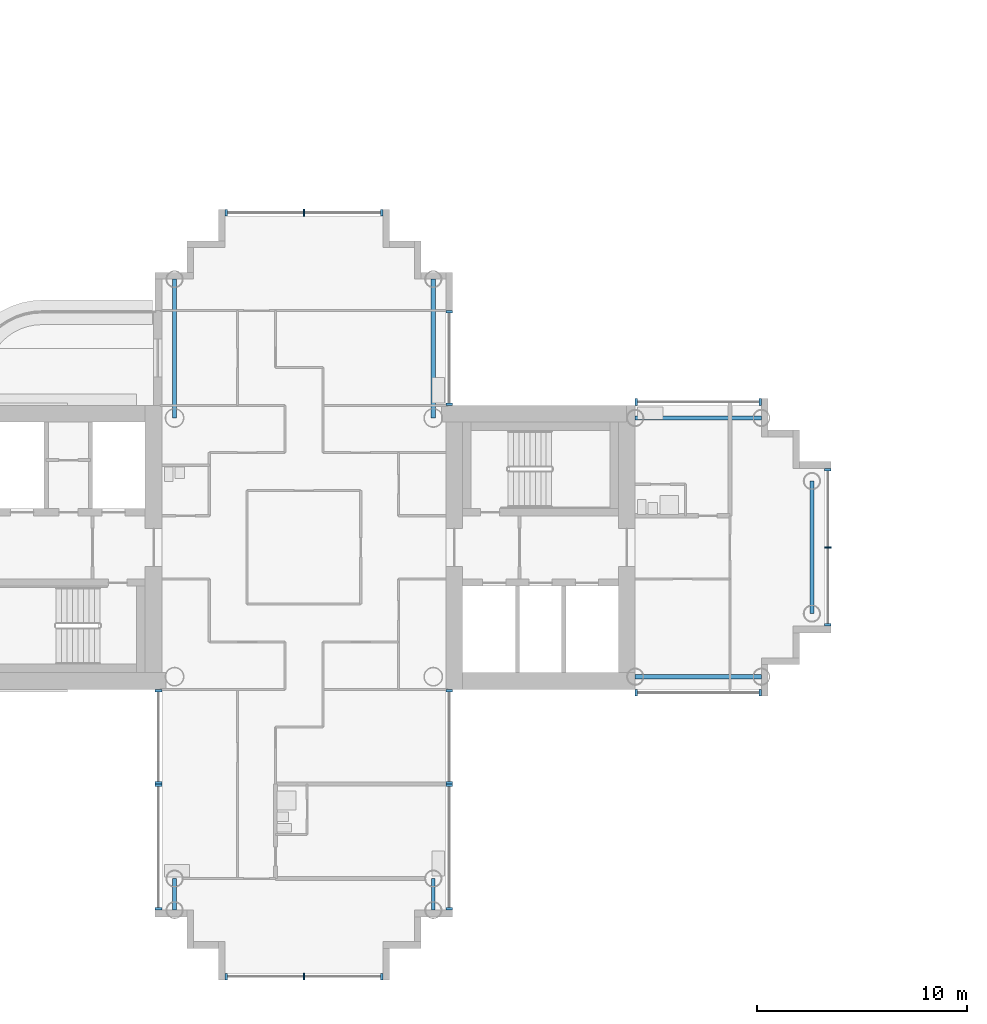
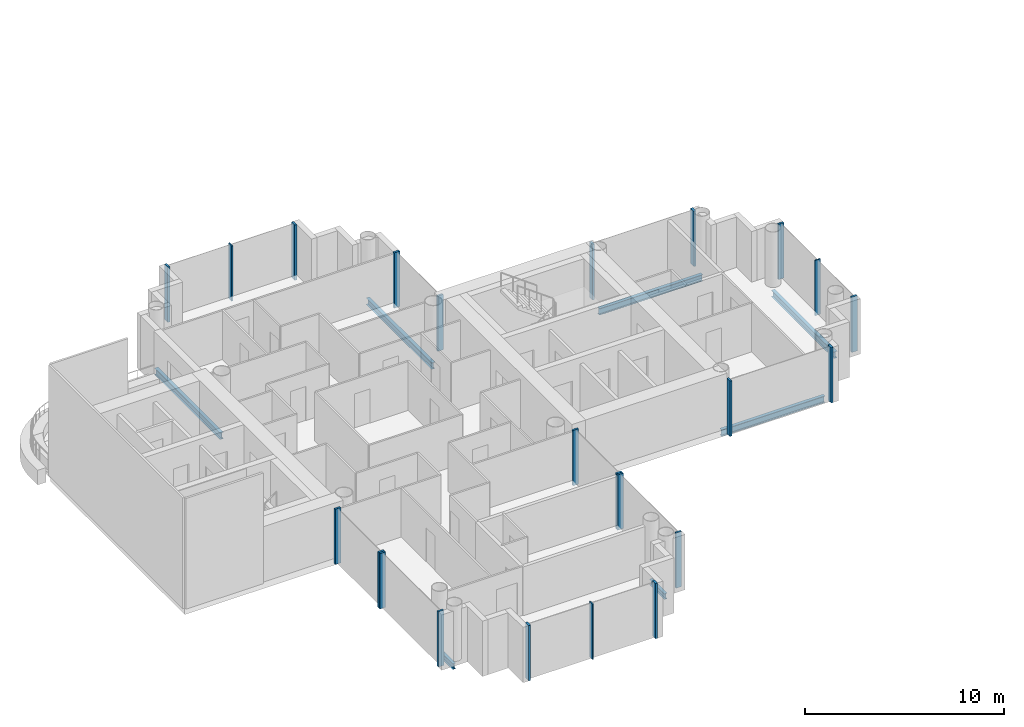
# One storey, part 3 of 20: 23 members, 7 beams, 10 elements without a shape of their own.
"""IFC4 building model written with IfcOpenShell, lengths in metres."""

import ifcopenshell
import ifcopenshell.guid

model = None  # the IFC model being written
_history = None  # IfcOwnerHistory: only IFC2X3 demands one
_inside = {}  # id of a spatial element -> (the spatial element, [elements in it])
_under = {}  # id of a project, library or spatial element -> (it, [spatial elements below it])
_declared = {}  # id of a project -> (the project, [libraries it declares])
_typed = {}  # id of a type object -> (the type object, [elements of that type])
_made_of = {}  # id of a material, layer set ... -> (it, [elements and type objects made of it])


def new_model(schema):
    """Start an empty IFC model of exactly this schema.

    Asked for "IFC4X3", IfcOpenShell would pick the latest addendum, in which some entities
    have other attributes; the version numbers below select the first issue.
    IFC2X3 requires an IfcOwnerHistory on every rooted entity: one is made here for all.
    """
    global model, _history
    if schema == "IFC4X3":
        model = ifcopenshell.file(schema_version=(4, 3, 0, 0))
    else:
        model = ifcopenshell.file(schema=schema)
    _inside.clear()
    _under.clear()
    _declared.clear()
    _typed.clear()
    _made_of.clear()
    _history = None
    if model.schema == "IFC2X3":
        org = make("IfcOrganization", Name="unknown")
        user = make(
            "IfcPersonAndOrganization",
            ThePerson=make("IfcPerson", FamilyName="unknown"),
            TheOrganization=org,
        )
        app = make(
            "IfcApplication",
            ApplicationDeveloper=org,
            Version="unknown",
            ApplicationFullName="unknown",
            ApplicationIdentifier="unknown",
        )
        _history = make(
            "IfcOwnerHistory",
            OwningUser=user,
            OwningApplication=app,
            ChangeAction="ADDED",
            CreationDate=0,
        )
    return model


def make(cls, **values):
    """One entity of the class cls with the attributes given. An attribute that is None is left unset."""
    return model.create_entity(
        cls, **{name: value for name, value in values.items() if value is not None}
    )


def rooted(cls, **values):
    """An entity with a GlobalId (a new one), such as an element, a storey or a relation."""
    return make(cls, GlobalId=ifcopenshell.guid.new(), OwnerHistory=_history, **values)


def si_unit(unit_type, name, prefix=None):
    """IfcSIUnit, for example si_unit("LENGTHUNIT", "METRE", prefix="MILLI")."""
    return make("IfcSIUnit", UnitType=unit_type, Prefix=prefix, Name=name)


def assignment(units):
    """IfcUnitAssignment: the units of a project."""
    return None if units is None else make("IfcUnitAssignment", Units=units)


def point(xyz):
    """IfcCartesianPoint."""
    return None if xyz is None else make("IfcCartesianPoint", Coordinates=xyz)


def direction(xyz):
    """IfcDirection."""
    return None if xyz is None else make("IfcDirection", DirectionRatios=xyz)


def frame(location, z_axis=None, x_axis=None):
    """IfcAxis2Placement3D, a coordinate frame: its origin and axes. An axis left out is left unset."""
    return make(
        "IfcAxis2Placement3D",
        Location=point(location),
        Axis=direction(z_axis),
        RefDirection=direction(x_axis),
    )


def frame_2d(location, x_axis=None):
    """IfcAxis2Placement2D, a coordinate frame in the plane: its origin and x axis."""
    return make(
        "IfcAxis2Placement2D", Location=point(location), RefDirection=direction(x_axis)
    )


def origin():
    """The frame at (0, 0, 0) with its axes left unset."""
    return frame((0.0, 0.0, 0.0))


def origin_2d():
    """The frame at (0, 0) in the plane with its x axis left unset."""
    return frame_2d((0.0, 0.0))


def place(relative_to, where):
    """IfcLocalPlacement: puts the frame where relative to a parent placement (None: the world)."""
    return make(
        "IfcLocalPlacement", PlacementRelTo=relative_to, RelativePlacement=where
    )


def context(
    kind, dimensions, precision=None, world=None, true_north=None, identifier=None
):
    """IfcGeometricRepresentationContext, for example the 3D "Model" context."""
    return make(
        "IfcGeometricRepresentationContext",
        ContextIdentifier=identifier,
        ContextType=kind,
        CoordinateSpaceDimension=dimensions,
        Precision=precision,
        WorldCoordinateSystem=world,
        TrueNorth=true_north,
    )


def subcontext(parent, identifier, kind, view, scale=None):
    """IfcGeometricRepresentationSubContext, for example "Body" below "Model"."""
    return make(
        "IfcGeometricRepresentationSubContext",
        ContextIdentifier=identifier,
        ContextType=kind,
        ParentContext=parent,
        TargetScale=scale,
        TargetView=view,
    )


def project(units=None, contexts=None):
    """IfcProject with its units and contexts."""
    return rooted(
        "IfcProject",
        Name="project",
        RepresentationContexts=contexts,
        UnitsInContext=assignment(units),
    )


def spatial(cls, under=None, at=None, **own):
    """A site, building, storey or space (cls), placed at a placement, below another one or the project."""
    s = rooted(cls, ObjectPlacement=at, **own)
    if under is not None:
        _under.setdefault(under.id(), (under, []))[1].append(s)
    return s


def profile(cls, at=None, kind="AREA", **sizes):
    """A parametric profile (cls). Its sizes go by their IFC names, for example OverallWidth=200.0."""
    return make(cls, ProfileType=kind, Position=at, **sizes)


def rectangle(**sizes):
    """IfcRectangleProfileDef."""
    return profile("IfcRectangleProfileDef", **sizes)


def i_section(**sizes):
    """IfcIShapeProfileDef."""
    return profile("IfcIShapeProfileDef", **sizes)


def extrude(swept, where, along, depth):
    """IfcExtrudedAreaSolid: the profile swept, set in the frame where, extruded along a direction by depth."""
    return make(
        "IfcExtrudedAreaSolid",
        SweptArea=swept,
        Position=where,
        ExtrudedDirection=direction(along),
        Depth=depth,
    )


def shape(context_of_items, identifier, shape_type, items):
    """IfcShapeRepresentation: the items that make up one representation, for example the "Body"."""
    return make(
        "IfcShapeRepresentation",
        ContextOfItems=context_of_items,
        RepresentationIdentifier=identifier,
        RepresentationType=shape_type,
        Items=items,
    )


def material(Name=None, Category=None):
    """IfcMaterial."""
    return make("IfcMaterial", Name=Name, Category=Category)


def layer(
    of_material, thickness, ventilated=None, Name=None, Category=None, Priority=None
):
    """IfcMaterialLayer: one layer of a wall or slab, of a material (None: an air gap)."""
    return make(
        "IfcMaterialLayer",
        Material=of_material,
        LayerThickness=thickness,
        IsVentilated=ventilated,
        Name=Name,
        Category=Category,
        Priority=Priority,
    )


def layer_set(layers, Name=None):
    """IfcMaterialLayerSet."""
    return make("IfcMaterialLayerSet", MaterialLayers=layers, LayerSetName=Name)


def material_profile(
    of_material, cross_section, Name=None, Category=None, Priority=None
):
    """IfcMaterialProfile: a cross section and its material."""
    return make(
        "IfcMaterialProfile",
        Name=Name,
        Material=of_material,
        Profile=cross_section,
        Priority=Priority,
        Category=Category,
    )


def profile_set(profiles, Name=None, composite=None):
    """IfcMaterialProfileSet."""
    return make(
        "IfcMaterialProfileSet",
        Name=Name,
        MaterialProfiles=profiles,
        CompositeProfile=composite,
    )


def made_of(thing, what):
    """Note that an element or type object is made of a material, layer set ...; save() writes the relation."""
    if what is not None:
        _made_of.setdefault(what.id(), (what, []))[1].append(thing)
    return thing


def type_object(cls, material=None, **own):
    """A type object (cls), such as IfcWallType, which elements share."""
    return made_of(rooted(cls, **own), material)


def element(
    cls,
    number,
    at=None,
    inside=None,
    cuts=None,
    type_object=None,
    material=None,
    context=None,
    identifier="Body",
    shape_type=None,
    held_by="IfcProductDefinitionShape",
    body=None,
    shapes=None,
    **own,
):
    """One element of the class cls, such as IfcWall. Its Tag is "e" and its number.

    at: its placement. inside: the storey or other place that contains it. cuts: it is an
    opening in that element (IfcRelVoidsElement). A single representation is given by context,
    identifier, shape_type and body (its items); several are given by shapes. held_by: the class
    of the entity that holds the representations. save() writes the other relations.
    """
    e = rooted(cls, Tag="e%d" % number, ObjectPlacement=at, **own)
    if body is not None:
        shapes = [shape(context, identifier, shape_type, body)]
    if shapes is not None:
        e.Representation = make(held_by, Representations=shapes)
    if inside is not None:
        _inside.setdefault(inside.id(), (inside, []))[1].append(e)
    if cuts is not None:
        rooted(
            "IfcRelVoidsElement", RelatingBuildingElement=cuts, RelatedOpeningElement=e
        )
    if type_object is not None:
        _typed.setdefault(type_object.id(), (type_object, []))[1].append(e)
    return made_of(e, material)


def aggregate(whole, parts):
    """IfcRelAggregates: a whole, such as a stair, and the parts it consists of."""
    return rooted("IfcRelAggregates", RelatingObject=whole, RelatedObjects=parts)


def save(model, path):
    """Write the relations noted so far, then the file.

    IfcRelAggregates (storeys below a building ...), IfcRelContainedInSpatialStructure (elements
    in a storey), IfcRelDefinesByType, IfcRelAssociatesMaterial and IfcRelDeclares: one each for
    every whole, place, type object, material and project.
    """
    for whole, parts in _under.values():
        aggregate(whole, parts)
    for where, things in _inside.values():
        rooted(
            "IfcRelContainedInSpatialStructure",
            RelatedElements=things,
            RelatingStructure=where,
        )
    for kind, things in _typed.values():
        rooted("IfcRelDefinesByType", RelatedObjects=things, RelatingType=kind)
    for what, things in _made_of.values():
        rooted("IfcRelAssociatesMaterial", RelatedObjects=things, RelatingMaterial=what)
    for by, libraries in _declared.values():
        rooted("IfcRelDeclares", RelatingContext=by, RelatedDefinitions=libraries)
    model.write(path)


model = new_model("IFC4")

# Units and contexts
model_context = context("Model", 3, precision=1e-05, world=origin(), true_north=direction((0.0, 1.0)))
body_context = subcontext(model_context, "Body", "Model", "MODEL_VIEW")
ifc_project = project(units=[si_unit("LENGTHUNIT", "METRE"), si_unit("AREAUNIT", "SQUARE_METRE"), si_unit("VOLUMEUNIT", "CUBIC_METRE"), si_unit("PLANEANGLEUNIT", "RADIAN"), si_unit("MASSUNIT", "GRAM", prefix="KILO")], contexts=[model_context])

# Site, building, storey
site_placement = place(None, origin())
site = spatial("IfcSite", under=ifc_project, at=site_placement, CompositionType="ELEMENT")
building_placement = place(site_placement, origin())
building = spatial("IfcBuilding", under=site, at=building_placement, Name="Ipe Terrace Towers", CompositionType="ELEMENT")
storey_placement = place(building_placement, frame((0.0, 0.0, 154.10009765625)))
storey = spatial("IfcBuildingStorey", under=building, at=storey_placement, Name="L42", CompositionType="ELEMENT", Elevation=154.10009765625)

# Beams
ifc_material_1 = material(Name="Steel S355", Category="steel")
ifc_material_profile_1 = material_profile(ifc_material_1, i_section(OverallWidth=0.175048828125, OverallDepth=0.35009765625, WebThickness=0.007080078125, FlangeThickness=0.010986328125, at=origin_2d()), Name="H-350x175x7x11")
ifc_profile_set_1 = profile_set([ifc_material_profile_1], Name="Steel S355")
beam_type_1 = type_object("IfcBeamType", Name="H04 EDGE BEAM H-350x175x7x11", PredefinedType="BEAM", material=ifc_profile_set_1)
for number, where, z_axis, x_axis, name in (
    (1, (-42.14990234375, -15.75, -0.5751953125), (0.0, -1.0, 0.0), (1.0, 0.0, 0.0), "Edge beam T1-EB-D03-D05"),
    (2, (-29.85009765625, -15.75, -0.5751953125), (0.0, -1.0, 0.0), (1.0, 0.0, 0.0), "Edge beam T1-EB-D04-D06"),
):
    element("IfcBeam", number, at=place(storey_placement, frame(where, z_axis=z_axis, x_axis=x_axis)), inside=storey, type_object=beam_type_1, Name=name, PredefinedType="BEAM", context=body_context, shape_type="SweptSolid", body=[
        extrude(i_section(OverallWidth=0.175048828125, OverallDepth=0.35009765625, WebThickness=0.007080078125, FlangeThickness=0.010986328125, at=origin_2d()), origin(), (0.0, 0.0, 1.0), 1.5),
    ])
ifc_material_2 = material(Name="Steel S355", Category="steel")
ifc_material_profile_2 = material_profile(ifc_material_2, i_section(OverallWidth=0.199951171875, OverallDepth=0.39990234375, WebThickness=0.008056640625, FlangeThickness=0.012939453125, at=origin_2d()), Name="H-400x200x8x13")
ifc_profile_set_2 = profile_set([ifc_material_profile_2], Name="Steel S355")
beam_type_2 = type_object("IfcBeamType", Name="H06 EDGE BEAM H-400x200x8x13", PredefinedType="BEAM", material=ifc_profile_set_2)
for number, where, z_axis, x_axis, name in (
    (3, (-20.25, -6.14990234375, -0.60009765625), (1.0, 0.0, 0.0), (0.0, 1.0, 0.0), "Edge beam T1-EB-A01-A03"),
    (4, (-20.25, 6.14990234375, -0.60009765625), (1.0, 0.0, 0.0), (0.0, 1.0, 0.0), "Edge beam T1-EB-A02-A04"),
):
    element("IfcBeam", number, at=place(storey_placement, frame(where, z_axis=z_axis, x_axis=x_axis)), inside=storey, type_object=beam_type_2, Name=name, PredefinedType="BEAM", context=body_context, shape_type="SweptSolid", body=[
        extrude(i_section(OverallWidth=0.199951171875, OverallDepth=0.39990234375, WebThickness=0.008056640625, FlangeThickness=0.012939453125, at=origin_2d()), origin(), (0.0, 0.0, 1.0), 6.0),
    ])
beam_placement = place(storey_placement, frame((-11.85009765625, -3.14990234375, -0.60009765625), z_axis=(0.0, 1.0, 0.0), x_axis=(-1.0, 0.0, 0.0)))
element("IfcBeam", 5, at=beam_placement, inside=storey, type_object=beam_type_2, Name="Edge beam T1-EB-A05-A06", PredefinedType="BEAM", context=body_context, shape_type="SweptSolid", body=[
    extrude(i_section(OverallWidth=0.199951171875, OverallDepth=0.39990234375, WebThickness=0.008056640625, FlangeThickness=0.012939453125, at=origin_2d()), origin(), (0.0, 0.0, 1.0), 6.2998046875),
])
for number, where, z_axis, x_axis, name in (
    (6, (-29.85009765625, 12.75, -0.60009765625), (0.0, -1.0, 0.0), (1.0, 0.0, 0.0), "Edge beam T1-EB-B01-E03"),
    (7, (-42.14990234375, 12.75, -0.60009765625), (0.0, -1.0, 0.0), (1.0, 0.0, 0.0), "Edge beam T1-EB-B02-E04"),
):
    element("IfcBeam", number, at=place(storey_placement, frame(where, z_axis=z_axis, x_axis=x_axis)), inside=storey, type_object=beam_type_2, Name=name, PredefinedType="BEAM", context=body_context, shape_type="SweptSolid", body=[
        extrude(i_section(OverallWidth=0.199951171875, OverallDepth=0.39990234375, WebThickness=0.008056640625, FlangeThickness=0.012939453125, at=origin_2d()), origin(), (0.0, 0.0, 1.0), 6.60009765625),
    ])

# Curtain wall, members
ifc_material_3 = material(Name="Aluminium alloy 6063-T6", Category="aluminium")
ifc_layer = layer(ifc_material_3, 0.320068359375)
ifc_layer_set = layer_set([ifc_layer], Name="TOWER UNITISED CURTAIN WALL")
curtain_wall_type = type_object("IfcCurtainWallType", Name="TOWER UNITISED CURTAIN WALL", PredefinedType="NOTDEFINED", material=ifc_layer_set)
curtain_wall_1_placement = place(storey_placement, origin())
curtain_wall_1 = element("IfcCurtainWall", 8, at=curtain_wall_1_placement, inside=storey, type_object=curtain_wall_type, Name="T1-CW-L42-02a curtain wall", PredefinedType="NOTDEFINED")
ifc_material_4 = material(Name="Aluminium alloy 6063-T6", Category="aluminium")
ifc_material_profile_3 = material_profile(ifc_material_4, rectangle(XDim=0.320068359375, YDim=0.1201171875, at=origin_2d()), Name="TOWER UNITISED CORNER MULLION 320 x 120")
ifc_profile_set_3 = profile_set([ifc_material_profile_3], Name="Aluminium alloy 6063-T6")
member_type_1 = type_object("IfcMemberType", Name="TOWER UNITISED CORNER MULLION 320 x 120", PredefinedType="MULLION", material=ifc_profile_set_3)
member_1_placement = place(storey_placement, frame((-42.909912109375, -6.81005859375, -0.300048828125), z_axis=(0.0, 0.0, 1.0), x_axis=(-1.0, 0.0, 0.0)))
member_1 = element("IfcMember", 9, at=member_1_placement, type_object=member_type_1, Name="T1-CW-L42-02a mullion 1", PredefinedType="MULLION", context=body_context, shape_type="SweptSolid", body=[
    extrude(rectangle(XDim=0.320068359375, YDim=0.1201171875, at=origin_2d()), origin(), (0.0, 0.0, 1.0), 3.39990234375),
])
member_2_placement = place(storey_placement, frame((-42.909912109375, -11.18994140625, -0.300048828125), z_axis=(0.0, 0.0, 1.0), x_axis=(-1.0, 0.0, 0.0)))
member_2 = element("IfcMember", 10, at=member_2_placement, type_object=member_type_1, Name="T1-CW-L42-02a mullion 2", PredefinedType="MULLION", context=body_context, shape_type="SweptSolid", body=[
    extrude(rectangle(XDim=0.320068359375, YDim=0.1201171875, at=origin_2d()), origin(), (0.0, 0.0, 1.0), 3.39990234375),
])
aggregate(curtain_wall_1, [member_1, member_2])

curtain_wall_2_placement = place(storey_placement, origin())
curtain_wall_2 = element("IfcCurtainWall", 11, at=curtain_wall_2_placement, inside=storey, type_object=curtain_wall_type, Name="T1-CW-L42-03a curtain wall", PredefinedType="NOTDEFINED")
member_3_placement = place(storey_placement, frame((-42.909912109375, -11.31005859375, -0.300048828125), z_axis=(0.0, 0.0, 1.0), x_axis=(-1.0, 0.0, 0.0)))
member_3 = element("IfcMember", 12, at=member_3_placement, type_object=member_type_1, Name="T1-CW-L42-03a mullion 1", PredefinedType="MULLION", context=body_context, shape_type="SweptSolid", body=[
    extrude(rectangle(XDim=0.320068359375, YDim=0.1201171875, at=origin_2d()), origin(), (0.0, 0.0, 1.0), 3.39990234375),
])
member_4_placement = place(storey_placement, frame((-42.909912109375, -17.18994140625, -0.300048828125), z_axis=(0.0, 0.0, 1.0), x_axis=(-1.0, 0.0, 0.0)))
member_4 = element("IfcMember", 13, at=member_4_placement, type_object=member_type_1, Name="T1-CW-L42-03a mullion 2", PredefinedType="MULLION", context=body_context, shape_type="SweptSolid", body=[
    extrude(rectangle(XDim=0.320068359375, YDim=0.1201171875, at=origin_2d()), origin(), (0.0, 0.0, 1.0), 3.39990234375),
])
aggregate(curtain_wall_2, [member_3, member_4])

curtain_wall_3_placement = place(storey_placement, origin())
curtain_wall_3 = element("IfcCurtainWall", 14, at=curtain_wall_3_placement, inside=storey, type_object=curtain_wall_type, Name="T1-CW-L42-08a curtain wall", PredefinedType="NOTDEFINED")
member_5_placement = place(storey_placement, frame((-39.68994140625, -20.409912109375, -0.300048828125), z_axis=(0.0, 0.0, 1.0), x_axis=(0.0, -1.0, 0.0)))
member_5 = element("IfcMember", 15, at=member_5_placement, type_object=member_type_1, Name="T1-CW-L42-08a mullion 1", PredefinedType="MULLION", context=body_context, shape_type="SweptSolid", body=[
    extrude(rectangle(XDim=0.320068359375, YDim=0.1201171875, at=origin_2d()), origin(), (0.0, 0.0, 1.0), 3.39990234375),
])
member_6_placement = place(storey_placement, frame((-32.31005859375, -20.409912109375, -0.300048828125), z_axis=(0.0, 0.0, 1.0), x_axis=(0.0, -1.0, 0.0)))
member_6 = element("IfcMember", 16, at=member_6_placement, type_object=member_type_1, Name="T1-CW-L42-08a mullion 3", PredefinedType="MULLION", context=body_context, shape_type="SweptSolid", body=[
    extrude(rectangle(XDim=0.320068359375, YDim=0.1201171875, at=origin_2d()), origin(), (0.0, 0.0, 1.0), 3.39990234375),
])

curtain_wall_4_placement = place(storey_placement, origin())
curtain_wall_4 = element("IfcCurtainWall", 17, at=curtain_wall_4_placement, inside=storey, type_object=curtain_wall_type, Name="T1-CW-L42-13a curtain wall", PredefinedType="NOTDEFINED")
member_7_placement = place(storey_placement, frame((-29.090087890625, -17.18994140625, -0.300048828125), z_axis=(0.0, 0.0, 1.0), x_axis=(1.0, 0.0, 0.0)))
member_7 = element("IfcMember", 18, at=member_7_placement, type_object=member_type_1, Name="T1-CW-L42-13a mullion 1", PredefinedType="MULLION", context=body_context, shape_type="SweptSolid", body=[
    extrude(rectangle(XDim=0.320068359375, YDim=0.1201171875, at=origin_2d()), origin(), (0.0, 0.0, 1.0), 3.39990234375),
])
member_8_placement = place(storey_placement, frame((-29.090087890625, -11.31005859375, -0.300048828125), z_axis=(0.0, 0.0, 1.0), x_axis=(1.0, 0.0, 0.0)))
member_8 = element("IfcMember", 19, at=member_8_placement, type_object=member_type_1, Name="T1-CW-L42-13a mullion 2", PredefinedType="MULLION", context=body_context, shape_type="SweptSolid", body=[
    extrude(rectangle(XDim=0.320068359375, YDim=0.1201171875, at=origin_2d()), origin(), (0.0, 0.0, 1.0), 3.39990234375),
])
aggregate(curtain_wall_4, [member_7, member_8])

curtain_wall_5_placement = place(storey_placement, origin())
curtain_wall_5 = element("IfcCurtainWall", 20, at=curtain_wall_5_placement, inside=storey, type_object=curtain_wall_type, Name="T1-CW-L42-14a curtain wall", PredefinedType="NOTDEFINED")
member_9_placement = place(storey_placement, frame((-29.090087890625, -11.18994140625, -0.300048828125), z_axis=(0.0, 0.0, 1.0), x_axis=(1.0, 0.0, 0.0)))
member_9 = element("IfcMember", 21, at=member_9_placement, type_object=member_type_1, Name="T1-CW-L42-14a mullion 1", PredefinedType="MULLION", context=body_context, shape_type="SweptSolid", body=[
    extrude(rectangle(XDim=0.320068359375, YDim=0.1201171875, at=origin_2d()), origin(), (0.0, 0.0, 1.0), 3.39990234375),
])
member_10_placement = place(storey_placement, frame((-29.090087890625, -6.81005859375, -0.300048828125), z_axis=(0.0, 0.0, 1.0), x_axis=(1.0, 0.0, 0.0)))
member_10 = element("IfcMember", 22, at=member_10_placement, type_object=member_type_1, Name="T1-CW-L42-14a mullion 2", PredefinedType="MULLION", context=body_context, shape_type="SweptSolid", body=[
    extrude(rectangle(XDim=0.320068359375, YDim=0.1201171875, at=origin_2d()), origin(), (0.0, 0.0, 1.0), 3.39990234375),
])
aggregate(curtain_wall_5, [member_9, member_10])

curtain_wall_6_placement = place(storey_placement, origin())
curtain_wall_6 = element("IfcCurtainWall", 23, at=curtain_wall_6_placement, inside=storey, type_object=curtain_wall_type, Name="T1-CW-L42-16b curtain wall", PredefinedType="NOTDEFINED")
member_11_placement = place(storey_placement, frame((-20.18896484375, -6.909912109375, -0.300048828125), z_axis=(0.0, 0.0, 1.0), x_axis=(0.0, -1.0, 0.0)))
member_11 = element("IfcMember", 24, at=member_11_placement, type_object=member_type_1, Name="T1-CW-L42-16b mullion 1", PredefinedType="MULLION", context=body_context, shape_type="SweptSolid", body=[
    extrude(rectangle(XDim=0.320068359375, YDim=0.1201171875, at=origin_2d()), origin(), (0.0, 0.0, 1.0), 3.39990234375),
])
member_12_placement = place(storey_placement, frame((-14.31005859375, -6.909912109375, -0.300048828125), z_axis=(0.0, 0.0, 1.0), x_axis=(0.0, -1.0, 0.0)))
member_12 = element("IfcMember", 25, at=member_12_placement, type_object=member_type_1, Name="T1-CW-L42-16b mullion 2", PredefinedType="MULLION", context=body_context, shape_type="SweptSolid", body=[
    extrude(rectangle(XDim=0.320068359375, YDim=0.1201171875, at=origin_2d()), origin(), (0.0, 0.0, 1.0), 3.39990234375),
])
aggregate(curtain_wall_6, [member_11, member_12])

curtain_wall_7_placement = place(storey_placement, origin())
curtain_wall_7 = element("IfcCurtainWall", 26, at=curtain_wall_7_placement, inside=storey, type_object=curtain_wall_type, Name="T1-CW-L42-21a curtain wall", PredefinedType="NOTDEFINED")
member_13_placement = place(storey_placement, frame((-11.090087890625, -3.68994140625, -0.300048828125), z_axis=(0.0, 0.0, 1.0), x_axis=(1.0, 0.0, 0.0)))
member_13 = element("IfcMember", 27, at=member_13_placement, type_object=member_type_1, Name="T1-CW-L42-21a mullion 1", PredefinedType="MULLION", context=body_context, shape_type="SweptSolid", body=[
    extrude(rectangle(XDim=0.320068359375, YDim=0.1201171875, at=origin_2d()), origin(), (0.0, 0.0, 1.0), 3.39990234375),
])
member_14_placement = place(storey_placement, frame((-11.090087890625, 3.68994140625, -0.300048828125), z_axis=(0.0, 0.0, 1.0), x_axis=(1.0, 0.0, 0.0)))
member_14 = element("IfcMember", 28, at=member_14_placement, type_object=member_type_1, Name="T1-CW-L42-21a mullion 3", PredefinedType="MULLION", context=body_context, shape_type="SweptSolid", body=[
    extrude(rectangle(XDim=0.320068359375, YDim=0.1201171875, at=origin_2d()), origin(), (0.0, 0.0, 1.0), 3.39990234375),
])

curtain_wall_8_placement = place(storey_placement, origin())
curtain_wall_8 = element("IfcCurtainWall", 29, at=curtain_wall_8_placement, inside=storey, type_object=curtain_wall_type, Name="T1-CW-L42-26a curtain wall", PredefinedType="NOTDEFINED")
member_15_placement = place(storey_placement, frame((-14.31005859375, 6.909912109375, -0.300048828125), z_axis=(0.0, 0.0, 1.0), x_axis=(0.0, 1.0, 0.0)))
member_15 = element("IfcMember", 30, at=member_15_placement, type_object=member_type_1, Name="T1-CW-L42-26a mullion 1", PredefinedType="MULLION", context=body_context, shape_type="SweptSolid", body=[
    extrude(rectangle(XDim=0.320068359375, YDim=0.1201171875, at=origin_2d()), origin(), (0.0, 0.0, 1.0), 3.39990234375),
])
member_16_placement = place(storey_placement, frame((-20.18896484375, 6.909912109375, -0.300048828125), z_axis=(0.0, 0.0, 1.0), x_axis=(0.0, 1.0, 0.0)))
member_16 = element("IfcMember", 31, at=member_16_placement, type_object=member_type_1, Name="T1-CW-L42-26a mullion 2", PredefinedType="MULLION", context=body_context, shape_type="SweptSolid", body=[
    extrude(rectangle(XDim=0.320068359375, YDim=0.1201171875, at=origin_2d()), origin(), (0.0, 0.0, 1.0), 3.39990234375),
])
aggregate(curtain_wall_8, [member_15, member_16])

curtain_wall_9_placement = place(storey_placement, origin())
curtain_wall_9 = element("IfcCurtainWall", 32, at=curtain_wall_9_placement, inside=storey, type_object=curtain_wall_type, Name="T1-CW-L42-28a curtain wall", PredefinedType="NOTDEFINED")
member_17_placement = place(storey_placement, frame((-29.090087890625, 6.81005859375, -0.300048828125), z_axis=(0.0, 0.0, 1.0), x_axis=(1.0, 0.0, 0.0)))
member_17 = element("IfcMember", 33, at=member_17_placement, type_object=member_type_1, Name="T1-CW-L42-28a mullion 1", PredefinedType="MULLION", context=body_context, shape_type="SweptSolid", body=[
    extrude(rectangle(XDim=0.320068359375, YDim=0.1201171875, at=origin_2d()), origin(), (0.0, 0.0, 1.0), 3.39990234375),
])
member_18_placement = place(storey_placement, frame((-29.090087890625, 11.18994140625, -0.300048828125), z_axis=(0.0, 0.0, 1.0), x_axis=(1.0, 0.0, 0.0)))
member_18 = element("IfcMember", 34, at=member_18_placement, type_object=member_type_1, Name="T1-CW-L42-28a mullion 2", PredefinedType="MULLION", context=body_context, shape_type="SweptSolid", body=[
    extrude(rectangle(XDim=0.320068359375, YDim=0.1201171875, at=origin_2d()), origin(), (0.0, 0.0, 1.0), 3.39990234375),
])
aggregate(curtain_wall_9, [member_17, member_18])

curtain_wall_10_placement = place(storey_placement, origin())
curtain_wall_10 = element("IfcCurtainWall", 35, at=curtain_wall_10_placement, inside=storey, type_object=curtain_wall_type, Name="T1-CW-L42-34a curtain wall", PredefinedType="NOTDEFINED")
member_19_placement = place(storey_placement, frame((-32.31005859375, 15.909912109375, -0.300048828125), z_axis=(0.0, 0.0, 1.0), x_axis=(0.0, 1.0, 0.0)))
member_19 = element("IfcMember", 36, at=member_19_placement, type_object=member_type_1, Name="T1-CW-L42-34a mullion 1", PredefinedType="MULLION", context=body_context, shape_type="SweptSolid", body=[
    extrude(rectangle(XDim=0.320068359375, YDim=0.1201171875, at=origin_2d()), origin(), (0.0, 0.0, 1.0), 3.39990234375),
])
member_20_placement = place(storey_placement, frame((-39.68994140625, 15.909912109375, -0.300048828125), z_axis=(0.0, 0.0, 1.0), x_axis=(0.0, 1.0, 0.0)))
member_20 = element("IfcMember", 37, at=member_20_placement, type_object=member_type_1, Name="T1-CW-L42-34a mullion 3", PredefinedType="MULLION", context=body_context, shape_type="SweptSolid", body=[
    extrude(rectangle(XDim=0.320068359375, YDim=0.1201171875, at=origin_2d()), origin(), (0.0, 0.0, 1.0), 3.39990234375),
])

# Member
ifc_material_5 = material(Name="Aluminium alloy 6063-T6", Category="aluminium")
ifc_material_profile_4 = material_profile(ifc_material_5, rectangle(XDim=0.320068359375, YDim=0.06494140625, at=origin_2d()), Name="TOWER UNITISED MULLION 320 x 65")
ifc_profile_set_4 = profile_set([ifc_material_profile_4], Name="Aluminium alloy 6063-T6")
member_type_2 = type_object("IfcMemberType", Name="TOWER UNITISED MULLION 320 x 65", PredefinedType="MULLION", material=ifc_profile_set_4)
member_21_placement = place(storey_placement, frame((-36.0, -20.409912109375, -0.300048828125), z_axis=(0.0, 0.0, 1.0), x_axis=(0.0, -1.0, 0.0)))
member_21 = element("IfcMember", 38, at=member_21_placement, type_object=member_type_2, Name="T1-CW-L42-08a mullion 2", PredefinedType="MULLION", context=body_context, shape_type="SweptSolid", body=[
    extrude(rectangle(XDim=0.320068359375, YDim=0.06494140625, at=origin_2d()), origin(), (0.0, 0.0, 1.0), 3.39990234375),
])

aggregate(curtain_wall_3, [member_5, member_21, member_6])

member_22_placement = place(storey_placement, frame((-11.090087890625, 0.0, -0.300048828125), z_axis=(0.0, 0.0, 1.0), x_axis=(1.0, 0.0, 0.0)))
member_22 = element("IfcMember", 39, at=member_22_placement, type_object=member_type_2, Name="T1-CW-L42-21a mullion 2", PredefinedType="MULLION", context=body_context, shape_type="SweptSolid", body=[
    extrude(rectangle(XDim=0.320068359375, YDim=0.06494140625, at=origin_2d()), origin(), (0.0, 0.0, 1.0), 3.39990234375),
])

aggregate(curtain_wall_7, [member_13, member_22, member_14])

member_23_placement = place(storey_placement, frame((-36.0, 15.909912109375, -0.300048828125), z_axis=(0.0, 0.0, 1.0), x_axis=(0.0, 1.0, 0.0)))
member_23 = element("IfcMember", 40, at=member_23_placement, type_object=member_type_2, Name="T1-CW-L42-34a mullion 2", PredefinedType="MULLION", context=body_context, shape_type="SweptSolid", body=[
    extrude(rectangle(XDim=0.320068359375, YDim=0.06494140625, at=origin_2d()), origin(), (0.0, 0.0, 1.0), 3.39990234375),
])

aggregate(curtain_wall_10, [member_19, member_23, member_20])

save(model, "model.ifc")
